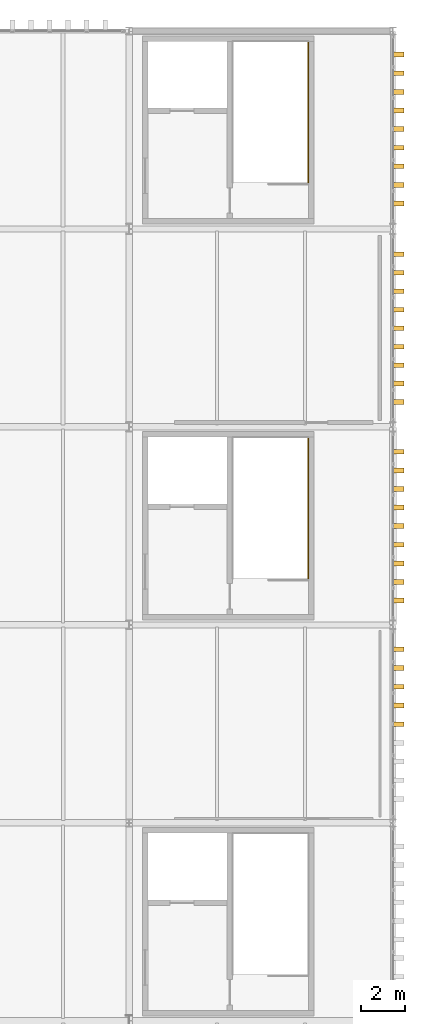
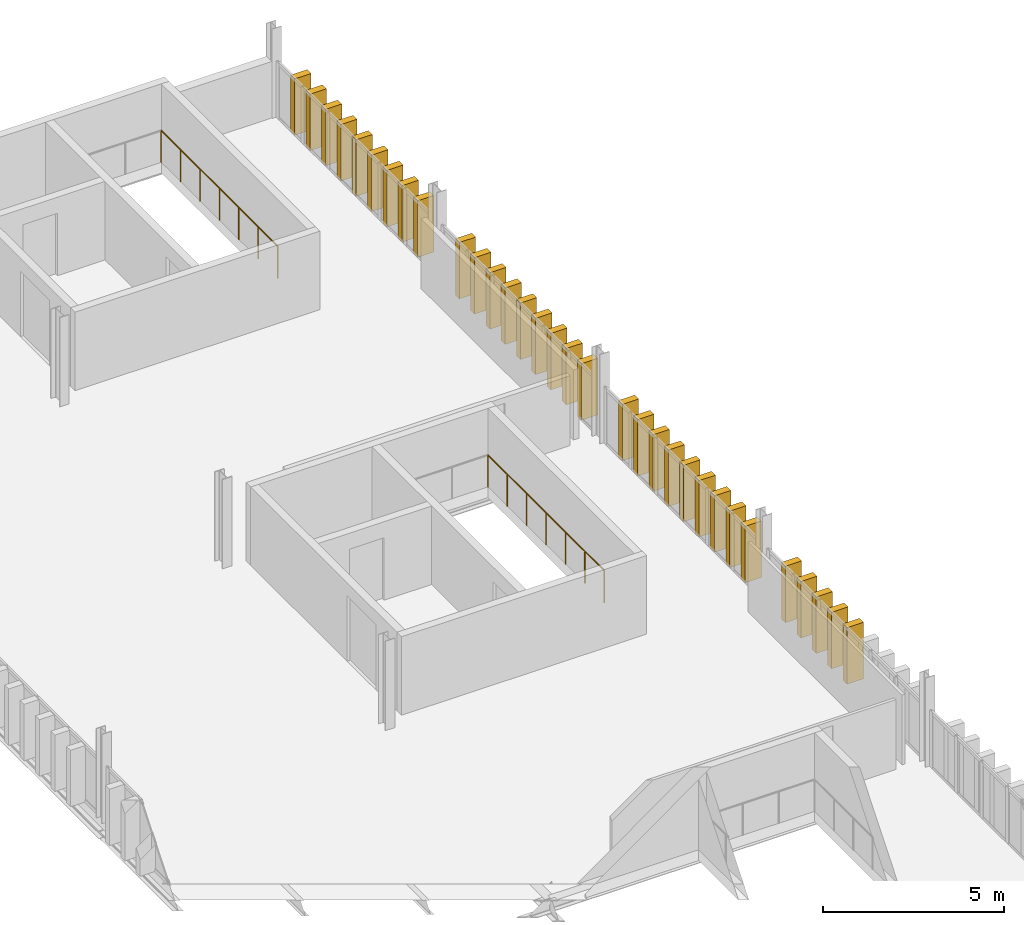
# One storey, part 58 of 58: 32 shading devices, 2 railings.
"""IFC4 building model written with IfcOpenShell, lengths in metres."""

from ifc_helpers import new_model, si_unit, direction, frame, origin, origin_2d, place, context, subcontext, project, spatial, rectangle, circle, extrude, material, type_object, element, save


model = new_model("IFC4")

# Units and contexts
model_context = context("Model", 3, precision=1e-05, world=origin(), true_north=direction((0.0, 1.0)))
body_context = subcontext(model_context, "Body", "Model", "MODEL_VIEW")
ifc_project = project(units=[si_unit("LENGTHUNIT", "METRE"), si_unit("AREAUNIT", "SQUARE_METRE"), si_unit("VOLUMEUNIT", "CUBIC_METRE"), si_unit("PLANEANGLEUNIT", "RADIAN"), si_unit("MASSUNIT", "GRAM", prefix="KILO")], contexts=[model_context])

# Site, building, storey
site_placement = place(None, origin())
site = spatial("IfcSite", under=ifc_project, at=site_placement, CompositionType="ELEMENT")
building_placement = place(site_placement, origin())
building = spatial("IfcBuilding", under=site, at=building_placement, Name="Barlavento Convention Centre", CompositionType="ELEMENT")
storey_placement = place(building_placement, frame((0.0, 0.0, 26.800048828125)))
storey = spatial("IfcBuildingStorey", under=building, at=storey_placement, Name="L05", CompositionType="ELEMENT", Elevation=26.800048828125)

# Railings
ifc_material_1 = material(Name="Stainless steel and laminated glass balustrade", Category="steel")
railing_type = type_object("IfcRailingType", Name="ARC-RAL-BAL-1100", PredefinedType="BALUSTRADE", material=ifc_material_1)
for number, where, name in (
    (1, (188.14990234375, 74.114990234375, 0.0), "L05 stairwell perimeter guard GR01"),
    (2, (188.14990234375, 92.114990234375, 0.0), "L05 stairwell perimeter guard GR01"),
):
    element("IfcRailing", number, at=place(storey_placement, frame(where)), inside=storey, type_object=railing_type, Name=name, PredefinedType="BALUSTRADE", context=body_context, shape_type="SweptSolid", body=[
        extrude(circle(Radius=0.02392578125, at=origin_2d()), frame((0.0, 0.0, 1.076171875), z_axis=(0.0, 1.0, 0.0), x_axis=(-1.0, 0.0, 0.0)), (0.0, 0.0, 1.0), 6.4150390625),
        extrude(circle(Radius=0.02099609375, at=origin_2d()), origin(), (0.0, 0.0, 1.0), 1.052001953125),
        extrude(circle(Radius=0.02099609375, at=origin_2d()), frame((0.0, 1.069091796875, 0.0)), (0.0, 0.0, 1.0), 1.052001953125),
        extrude(circle(Radius=0.02099609375, at=origin_2d()), frame((0.0, 2.138427734375, 0.0)), (0.0, 0.0, 1.0), 1.052001953125),
        extrude(circle(Radius=0.02099609375, at=origin_2d()), frame((0.0, 3.20751953125, 0.0)), (0.0, 0.0, 1.0), 1.052001953125),
        extrude(circle(Radius=0.02099609375, at=origin_2d()), frame((0.0, 4.276611328125, 0.0)), (0.0, 0.0, 1.0), 1.052001953125),
        extrude(circle(Radius=0.02099609375, at=origin_2d()), frame((0.0, 5.345947265625, 0.0)), (0.0, 0.0, 1.0), 1.052001953125),
        extrude(circle(Radius=0.02099609375, at=origin_2d()), frame((0.0, 6.4150390625, 0.0)), (0.0, 0.0, 1.0), 1.052001953125),
    ])

# Shading devices
ifc_material_2 = material(Name="PVDF white extruded aluminium", Category="aluminium")
shading_device_type = type_object("IfcShadingDeviceType", Name="ARC-SHD-FIN-480", PredefinedType="USERDEFINED", material=ifc_material_2)
for number, where, z_axis, x_axis, name in (
    (3, (192.239990234375, 67.485107421875, 0.0), (0.0, 0.0, 1.0), (0.0, 1.0, 0.0), "White vertical solar shading fin VF01"),
    (4, (192.239990234375, 68.3359375, 0.0), (0.0, 0.0, 1.0), (0.0, 1.0, 0.0), "White vertical solar shading fin VF01"),
    (5, (192.239990234375, 69.18701171875, 0.0), (0.0, 0.0, 1.0), (0.0, 1.0, 0.0), "White vertical solar shading fin VF01"),
    (6, (192.239990234375, 70.0380859375, 0.0), (0.0, 0.0, 1.0), (0.0, 1.0, 0.0), "White vertical solar shading fin VF01"),
    (7, (192.239990234375, 70.888916015625, 0.0), (0.0, 0.0, 1.0), (0.0, 1.0, 0.0), "White vertical solar shading fin VF01"),
    (8, (192.239990234375, 73.10546875, 0.0), (0.0, 0.0, 1.0), (0.0, 1.0, 0.0), "White vertical solar shading fin VF01"),
    (9, (192.239990234375, 73.950927734375, 0.0), (0.0, 0.0, 1.0), (0.0, 1.0, 0.0), "White vertical solar shading fin VF01"),
    (10, (192.239990234375, 74.79638671875, 0.0), (0.0, 0.0, 1.0), (0.0, 1.0, 0.0), "White vertical solar shading fin VF01"),
    (11, (192.239990234375, 75.64208984375, 0.0), (0.0, 0.0, 1.0), (0.0, 1.0, 0.0), "White vertical solar shading fin VF01"),
    (12, (192.239990234375, 76.487548828125, 0.0), (0.0, 0.0, 1.0), (0.0, 1.0, 0.0), "White vertical solar shading fin VF01"),
    (13, (192.239990234375, 77.3330078125, 0.0), (0.0, 0.0, 1.0), (0.0, 1.0, 0.0), "White vertical solar shading fin VF01"),
    (14, (192.239990234375, 78.178466796875, 0.0), (0.0, 0.0, 1.0), (0.0, 1.0, 0.0), "White vertical solar shading fin VF01"),
    (15, (192.239990234375, 79.02392578125, 0.0), (0.0, 0.0, 1.0), (0.0, 1.0, 0.0), "White vertical solar shading fin VF01"),
    (16, (192.239990234375, 79.869384765625, 0.0), (0.0, 0.0, 1.0), (0.0, 1.0, 0.0), "White vertical solar shading fin VF01"),
    (17, (192.239990234375, 82.12548828125, 0.0), (0.0, 0.0, 1.0), (0.0, 1.0, 0.0), "White vertical solar shading fin VF01"),
    (18, (192.239990234375, 82.966064453125, 0.0), (0.0, 0.0, 1.0), (0.0, 1.0, 0.0), "White vertical solar shading fin VF01"),
    (19, (192.239990234375, 83.806396484375, 0.0), (0.0, 0.0, 1.0), (0.0, 1.0, 0.0), "White vertical solar shading fin VF01"),
    (20, (192.239990234375, 84.64697265625, 0.0), (0.0, 0.0, 1.0), (0.0, 1.0, 0.0), "White vertical solar shading fin VF01"),
    (21, (192.239990234375, 85.487548828125, 0.0), (0.0, 0.0, 1.0), (0.0, 1.0, 0.0), "White vertical solar shading fin VF01"),
    (22, (192.239990234375, 86.327880859375, 0.0), (0.0, 0.0, 1.0), (0.0, 1.0, 0.0), "White vertical solar shading fin VF01"),
    (23, (192.239990234375, 87.16845703125, 0.0), (0.0, 0.0, 1.0), (0.0, 1.0, 0.0), "White vertical solar shading fin VF01"),
    (24, (192.239990234375, 88.009033203125, 0.0), (0.0, 0.0, 1.0), (0.0, 1.0, 0.0), "White vertical solar shading fin VF01"),
    (25, (192.239990234375, 88.849609375, 0.0), (0.0, 0.0, 1.0), (0.0, 1.0, 0.0), "White vertical solar shading fin VF01"),
    (26, (192.239990234375, 91.156005859375, 0.0), (0.0, 0.0, 1.0), (0.0, 1.0, 0.0), "White vertical solar shading fin VF01"),
    (27, (192.239990234375, 92.001953125, 0.0), (0.0, 0.0, 1.0), (0.0, 1.0, 0.0), "White vertical solar shading fin VF01"),
    (28, (192.239990234375, 92.847900390625, 0.0), (0.0, 0.0, 1.0), (0.0, 1.0, 0.0), "White vertical solar shading fin VF01"),
    (29, (192.239990234375, 93.694091796875, 0.0), (0.0, 0.0, 1.0), (0.0, 1.0, 0.0), "White vertical solar shading fin VF01"),
    (30, (192.239990234375, 94.5400390625, 0.0), (0.0, 0.0, 1.0), (0.0, 1.0, 0.0), "White vertical solar shading fin VF01"),
    (31, (192.239990234375, 95.385986328125, 0.0), (0.0, 0.0, 1.0), (0.0, 1.0, 0.0), "White vertical solar shading fin VF01"),
    (32, (192.239990234375, 96.23193359375, 0.0), (0.0, 0.0, 1.0), (0.0, 1.0, 0.0), "White vertical solar shading fin VF01"),
    (33, (192.239990234375, 97.077880859375, 0.0), (0.0, 0.0, 1.0), (0.0, 1.0, 0.0), "White vertical solar shading fin VF01"),
    (34, (192.239990234375, 97.924072265625, 0.0), (0.0, 0.0, 1.0), (0.0, 1.0, 0.0), "White vertical solar shading fin VF01"),
):
    element("IfcShadingDevice", number, at=place(storey_placement, frame(where, z_axis=z_axis, x_axis=x_axis)), inside=storey, type_object=shading_device_type, Name=name, ObjectType="FIN", PredefinedType="USERDEFINED", context=body_context, shape_type="SweptSolid", body=[
        extrude(rectangle(XDim=0.219970703125, YDim=0.52001953125, at=origin_2d()), origin(), (0.0, 0.0, 1.0), 1.89990234375),
    ])

save(model, "model.ifc")
